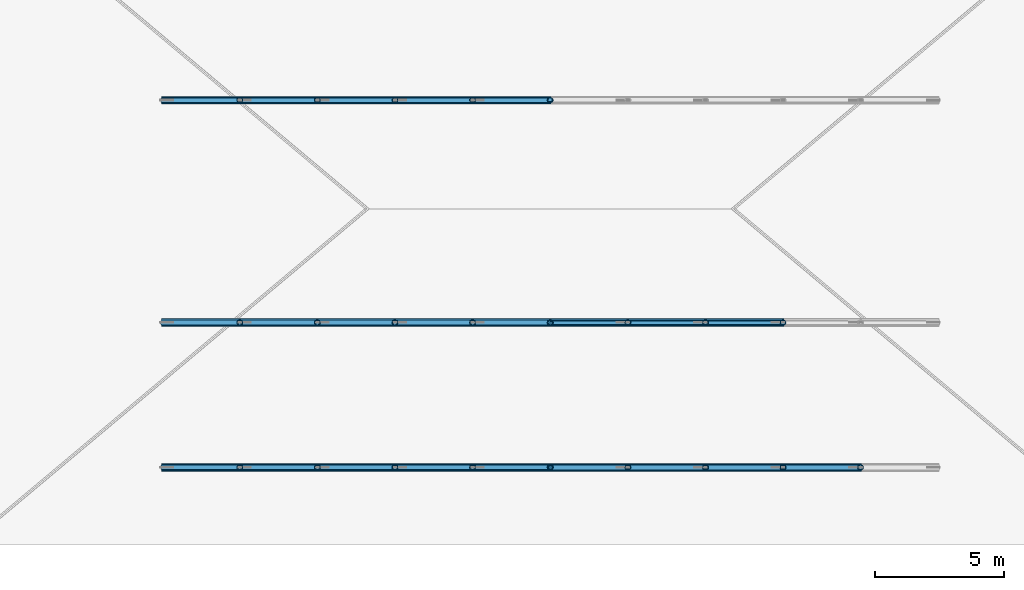
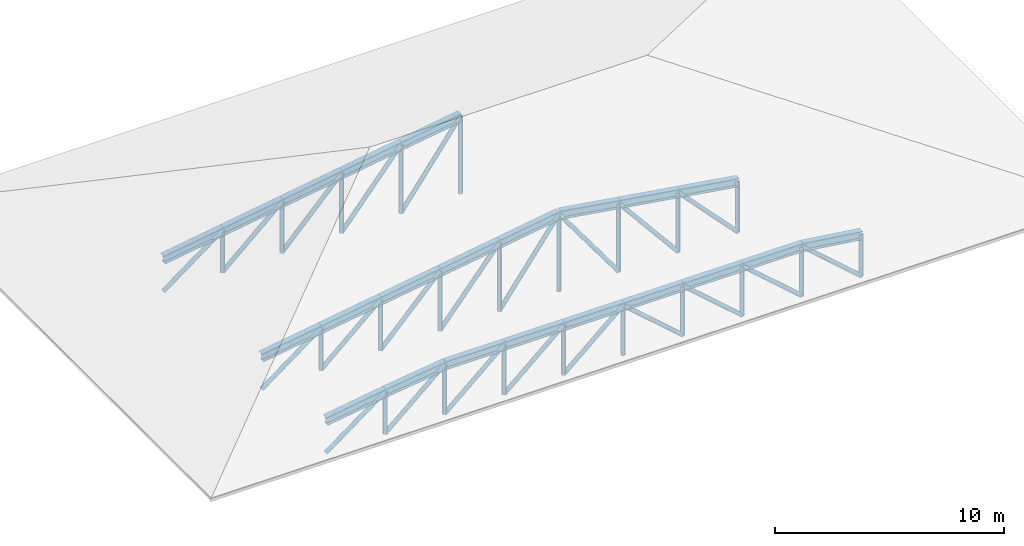
# One storey, part 1 of 6: 66 members.
"""IFC4 building model written with IfcOpenShell, lengths in metres."""

import ifcopenshell
import ifcopenshell.guid

model = None  # the IFC model being written
_history = None  # IfcOwnerHistory: only IFC2X3 demands one
_inside = {}  # id of a spatial element -> (the spatial element, [elements in it])
_under = {}  # id of a project, library or spatial element -> (it, [spatial elements below it])
_declared = {}  # id of a project -> (the project, [libraries it declares])
_typed = {}  # id of a type object -> (the type object, [elements of that type])
_made_of = {}  # id of a material, layer set ... -> (it, [elements and type objects made of it])


def new_model(schema):
    """Start an empty IFC model of exactly this schema.

    Asked for "IFC4X3", IfcOpenShell would pick the latest addendum, in which some entities
    have other attributes; the version numbers below select the first issue.
    IFC2X3 requires an IfcOwnerHistory on every rooted entity: one is made here for all.
    """
    global model, _history
    if schema == "IFC4X3":
        model = ifcopenshell.file(schema_version=(4, 3, 0, 0))
    else:
        model = ifcopenshell.file(schema=schema)
    _inside.clear()
    _under.clear()
    _declared.clear()
    _typed.clear()
    _made_of.clear()
    _history = None
    if model.schema == "IFC2X3":
        org = make("IfcOrganization", Name="unknown")
        user = make(
            "IfcPersonAndOrganization",
            ThePerson=make("IfcPerson", FamilyName="unknown"),
            TheOrganization=org,
        )
        app = make(
            "IfcApplication",
            ApplicationDeveloper=org,
            Version="unknown",
            ApplicationFullName="unknown",
            ApplicationIdentifier="unknown",
        )
        _history = make(
            "IfcOwnerHistory",
            OwningUser=user,
            OwningApplication=app,
            ChangeAction="ADDED",
            CreationDate=0,
        )
    return model


def make(cls, **values):
    """One entity of the class cls with the attributes given. An attribute that is None is left unset."""
    return model.create_entity(
        cls, **{name: value for name, value in values.items() if value is not None}
    )


def rooted(cls, **values):
    """An entity with a GlobalId (a new one), such as an element, a storey or a relation."""
    return make(cls, GlobalId=ifcopenshell.guid.new(), OwnerHistory=_history, **values)


def si_unit(unit_type, name, prefix=None):
    """IfcSIUnit, for example si_unit("LENGTHUNIT", "METRE", prefix="MILLI")."""
    return make("IfcSIUnit", UnitType=unit_type, Prefix=prefix, Name=name)


def assignment(units):
    """IfcUnitAssignment: the units of a project."""
    return None if units is None else make("IfcUnitAssignment", Units=units)


def point(xyz):
    """IfcCartesianPoint."""
    return None if xyz is None else make("IfcCartesianPoint", Coordinates=xyz)


def direction(xyz):
    """IfcDirection."""
    return None if xyz is None else make("IfcDirection", DirectionRatios=xyz)


def frame(location, z_axis=None, x_axis=None):
    """IfcAxis2Placement3D, a coordinate frame: its origin and axes. An axis left out is left unset."""
    return make(
        "IfcAxis2Placement3D",
        Location=point(location),
        Axis=direction(z_axis),
        RefDirection=direction(x_axis),
    )


def frame_2d(location, x_axis=None):
    """IfcAxis2Placement2D, a coordinate frame in the plane: its origin and x axis."""
    return make(
        "IfcAxis2Placement2D", Location=point(location), RefDirection=direction(x_axis)
    )


def origin():
    """The frame at (0, 0, 0) with its axes left unset."""
    return frame((0.0, 0.0, 0.0))


def origin_2d():
    """The frame at (0, 0) in the plane with its x axis left unset."""
    return frame_2d((0.0, 0.0))


def place(relative_to, where):
    """IfcLocalPlacement: puts the frame where relative to a parent placement (None: the world)."""
    return make(
        "IfcLocalPlacement", PlacementRelTo=relative_to, RelativePlacement=where
    )


def context(
    kind, dimensions, precision=None, world=None, true_north=None, identifier=None
):
    """IfcGeometricRepresentationContext, for example the 3D "Model" context."""
    return make(
        "IfcGeometricRepresentationContext",
        ContextIdentifier=identifier,
        ContextType=kind,
        CoordinateSpaceDimension=dimensions,
        Precision=precision,
        WorldCoordinateSystem=world,
        TrueNorth=true_north,
    )


def subcontext(parent, identifier, kind, view, scale=None):
    """IfcGeometricRepresentationSubContext, for example "Body" below "Model"."""
    return make(
        "IfcGeometricRepresentationSubContext",
        ContextIdentifier=identifier,
        ContextType=kind,
        ParentContext=parent,
        TargetScale=scale,
        TargetView=view,
    )


def project(units=None, contexts=None):
    """IfcProject with its units and contexts."""
    return rooted(
        "IfcProject",
        Name="project",
        RepresentationContexts=contexts,
        UnitsInContext=assignment(units),
    )


def spatial(cls, under=None, at=None, **own):
    """A site, building, storey or space (cls), placed at a placement, below another one or the project."""
    s = rooted(cls, ObjectPlacement=at, **own)
    if under is not None:
        _under.setdefault(under.id(), (under, []))[1].append(s)
    return s


def profile(cls, at=None, kind="AREA", **sizes):
    """A parametric profile (cls). Its sizes go by their IFC names, for example OverallWidth=200.0."""
    return make(cls, ProfileType=kind, Position=at, **sizes)


def hollow_circle(**sizes):
    """IfcCircleHollowProfileDef."""
    return profile("IfcCircleHollowProfileDef", **sizes)


def i_section(**sizes):
    """IfcIShapeProfileDef."""
    return profile("IfcIShapeProfileDef", **sizes)


def extrude(swept, where, along, depth):
    """IfcExtrudedAreaSolid: the profile swept, set in the frame where, extruded along a direction by depth."""
    return make(
        "IfcExtrudedAreaSolid",
        SweptArea=swept,
        Position=where,
        ExtrudedDirection=direction(along),
        Depth=depth,
    )


def shape(context_of_items, identifier, shape_type, items):
    """IfcShapeRepresentation: the items that make up one representation, for example the "Body"."""
    return make(
        "IfcShapeRepresentation",
        ContextOfItems=context_of_items,
        RepresentationIdentifier=identifier,
        RepresentationType=shape_type,
        Items=items,
    )


def material(Name=None, Category=None):
    """IfcMaterial."""
    return make("IfcMaterial", Name=Name, Category=Category)


def material_profile(
    of_material, cross_section, Name=None, Category=None, Priority=None
):
    """IfcMaterialProfile: a cross section and its material."""
    return make(
        "IfcMaterialProfile",
        Name=Name,
        Material=of_material,
        Profile=cross_section,
        Priority=Priority,
        Category=Category,
    )


def profile_set(profiles, Name=None, composite=None):
    """IfcMaterialProfileSet."""
    return make(
        "IfcMaterialProfileSet",
        Name=Name,
        MaterialProfiles=profiles,
        CompositeProfile=composite,
    )


def made_of(thing, what):
    """Note that an element or type object is made of a material, layer set ...; save() writes the relation."""
    if what is not None:
        _made_of.setdefault(what.id(), (what, []))[1].append(thing)
    return thing


def type_object(cls, material=None, **own):
    """A type object (cls), such as IfcWallType, which elements share."""
    return made_of(rooted(cls, **own), material)


def element(
    cls,
    number,
    at=None,
    inside=None,
    cuts=None,
    type_object=None,
    material=None,
    context=None,
    identifier="Body",
    shape_type=None,
    held_by="IfcProductDefinitionShape",
    body=None,
    shapes=None,
    **own,
):
    """One element of the class cls, such as IfcWall. Its Tag is "e" and its number.

    at: its placement. inside: the storey or other place that contains it. cuts: it is an
    opening in that element (IfcRelVoidsElement). A single representation is given by context,
    identifier, shape_type and body (its items); several are given by shapes. held_by: the class
    of the entity that holds the representations. save() writes the other relations.
    """
    e = rooted(cls, Tag="e%d" % number, ObjectPlacement=at, **own)
    if body is not None:
        shapes = [shape(context, identifier, shape_type, body)]
    if shapes is not None:
        e.Representation = make(held_by, Representations=shapes)
    if inside is not None:
        _inside.setdefault(inside.id(), (inside, []))[1].append(e)
    if cuts is not None:
        rooted(
            "IfcRelVoidsElement", RelatingBuildingElement=cuts, RelatedOpeningElement=e
        )
    if type_object is not None:
        _typed.setdefault(type_object.id(), (type_object, []))[1].append(e)
    return made_of(e, material)


def aggregate(whole, parts):
    """IfcRelAggregates: a whole, such as a stair, and the parts it consists of."""
    return rooted("IfcRelAggregates", RelatingObject=whole, RelatedObjects=parts)


def save(model, path):
    """Write the relations noted so far, then the file.

    IfcRelAggregates (storeys below a building ...), IfcRelContainedInSpatialStructure (elements
    in a storey), IfcRelDefinesByType, IfcRelAssociatesMaterial and IfcRelDeclares: one each for
    every whole, place, type object, material and project.
    """
    for whole, parts in _under.values():
        aggregate(whole, parts)
    for where, things in _inside.values():
        rooted(
            "IfcRelContainedInSpatialStructure",
            RelatedElements=things,
            RelatingStructure=where,
        )
    for kind, things in _typed.values():
        rooted("IfcRelDefinesByType", RelatedObjects=things, RelatingType=kind)
    for what, things in _made_of.values():
        rooted("IfcRelAssociatesMaterial", RelatedObjects=things, RelatingMaterial=what)
    for by, libraries in _declared.values():
        rooted("IfcRelDeclares", RelatingContext=by, RelatedDefinitions=libraries)
    model.write(path)


model = new_model("IFC4")

# Units and contexts
model_context = context("Model", 3, precision=1e-05, world=origin(), true_north=direction((0.0, 1.0)))
body_context = subcontext(model_context, "Body", "Model", "MODEL_VIEW")
ifc_project = project(units=[si_unit("LENGTHUNIT", "METRE"), si_unit("AREAUNIT", "SQUARE_METRE"), si_unit("VOLUMEUNIT", "CUBIC_METRE"), si_unit("PLANEANGLEUNIT", "RADIAN"), si_unit("MASSUNIT", "GRAM", prefix="KILO")], contexts=[model_context])

# Site, building, storey
site_placement = place(None, origin())
site = spatial("IfcSite", under=ifc_project, at=site_placement, CompositionType="ELEMENT")
building_placement = place(site_placement, origin())
building = spatial("IfcBuilding", under=site, at=building_placement, Name="Muzn Square Opera House", CompositionType="ELEMENT")
storey_placement = place(building_placement, frame((0.0, 0.0, 35.39990234375)))
storey = spatial("IfcBuildingStorey", under=building, at=storey_placement, Name="RF-2", CompositionType="ELEMENT", Elevation=35.39990234375)

# Members
ifc_material = material(Name="Steel S355", Category="steel")
ifc_material_profile_1 = material_profile(ifc_material, i_section(OverallWidth=0.300048828125, OverallDepth=0.449951171875, WebThickness=0.013916015625, FlangeThickness=0.02587890625, FilletRadius=0.027099609375, at=origin_2d()), Name="HEB 450", Category="steel")
ifc_profile_set_1 = profile_set([ifc_material_profile_1], Name="Steel S355")
member_type_1 = type_object("IfcMemberType", Name="Stage Truss Chord HEB450", PredefinedType="CHORD", material=ifc_profile_set_1)
member_1_placement = place(storey_placement, frame((73.0, 75.60009765625, -0.25), z_axis=(0.987938344144, 0.0, 0.154847758042), x_axis=(0.0, 1.0, 0.0)))
element("IfcMember", 1, at=member_1_placement, inside=storey, type_object=member_type_1, Name="Stage Roof Truss Top Chord T1-0", PredefinedType="CHORD", context=body_context, shape_type="SweptSolid", body=[
    extrude(i_section(OverallWidth=0.300048828125, OverallDepth=0.449951171875, WebThickness=0.013916015625, FlangeThickness=0.02587890625, FilletRadius=0.027099609375, at=origin_2d()), origin(), (0.0, 0.0, 1.0), 3.03662109375),
])
member_2_placement = place(storey_placement, frame((76.0, 75.60009765625, 0.22021484375), z_axis=(0.990966088823, 0.0, 0.134112679501), x_axis=(0.0, 1.0, 0.0)))
element("IfcMember", 2, at=member_2_placement, inside=storey, type_object=member_type_1, Name="Stage Roof Truss Top Chord T1-1", PredefinedType="CHORD", context=body_context, shape_type="SweptSolid", body=[
    extrude(i_section(OverallWidth=0.300048828125, OverallDepth=0.449951171875, WebThickness=0.013916015625, FlangeThickness=0.02587890625, FilletRadius=0.027099609375, at=origin_2d()), origin(), (0.0, 0.0, 1.0), 3.02734375),
])
for number, where, z_axis, x_axis, name in (
    (3, (79.0, 75.60009765625, 0.626220703125), (1.0, 0.0, 0.0), (0.0, 1.0, 0.0), "Stage Roof Truss Top Chord T1-2"),
    (4, (82.0, 75.60009765625, 0.626220703125), (1.0, 0.0, 0.0), (0.0, 1.0, 0.0), "Stage Roof Truss Top Chord T1-3"),
    (5, (85.0, 75.60009765625, 0.626220703125), (1.0, 0.0, 0.0), (0.0, 1.0, 0.0), "Stage Roof Truss Top Chord T1-4"),
    (6, (88.0, 75.60009765625, 0.626220703125), (1.0, 0.0, 0.0), (0.0, 1.0, 0.0), "Stage Roof Truss Top Chord T1-5"),
    (7, (91.0, 75.60009765625, 0.626220703125), (1.0, 0.0, 0.0), (0.0, 1.0, 0.0), "Stage Roof Truss Top Chord T1-6"),
    (8, (94.0, 75.60009765625, 0.626220703125), (1.0, 0.0, 0.0), (0.0, 1.0, 0.0), "Stage Roof Truss Top Chord T1-7"),
):
    element("IfcMember", number, at=place(storey_placement, frame(where, z_axis=z_axis, x_axis=x_axis)), inside=storey, type_object=member_type_1, Name=name, PredefinedType="CHORD", context=body_context, shape_type="SweptSolid", body=[
        extrude(i_section(OverallWidth=0.300048828125, OverallDepth=0.449951171875, WebThickness=0.013916015625, FlangeThickness=0.02587890625, FilletRadius=0.027099609375, at=origin_2d()), origin(), (0.0, 0.0, 1.0), 3.0),
    ])
member_3_placement = place(storey_placement, frame((97.0, 75.60009765625, 0.626220703125), z_axis=(0.990966088823, 0.0, -0.134112679501), x_axis=(0.0, 1.0, 0.0)))
element("IfcMember", 9, at=member_3_placement, inside=storey, type_object=member_type_1, Name="Stage Roof Truss Top Chord T1-8", PredefinedType="CHORD", context=body_context, shape_type="SweptSolid", body=[
    extrude(i_section(OverallWidth=0.300048828125, OverallDepth=0.449951171875, WebThickness=0.013916015625, FlangeThickness=0.02587890625, FilletRadius=0.027099609375, at=origin_2d()), origin(), (0.0, 0.0, 1.0), 3.02734375),
])
for number, where, z_axis, x_axis, name in (
    (10, (73.0, 81.199951171875, -0.25), (0.987938344144, 0.0, 0.154847758042), (0.0, 1.0, 0.0), "Stage Roof Truss Top Chord T2-0"),
    (11, (76.0, 81.199951171875, 0.22021484375), (0.987950640565, 0.0, 0.154769285733), (0.0, 1.0, 0.0), "Stage Roof Truss Top Chord T2-1"),
    (12, (79.0, 81.199951171875, 0.690185546875), (0.987950640565, 0.0, 0.154769285733), (0.0, 1.0, 0.0), "Stage Roof Truss Top Chord T2-2"),
    (13, (82.0, 81.199951171875, 1.16015625), (0.987950640565, 0.0, 0.154769285733), (0.0, 1.0, 0.0), "Stage Roof Truss Top Chord T2-3"),
    (14, (85.0, 81.199951171875, 1.630126953125), (0.987950640565, 0.0, 0.154769285733), (0.0, 1.0, 0.0), "Stage Roof Truss Top Chord T2-4"),
    (15, (88.0, 81.199951171875, 2.10009765625), (0.987950640565, 0.0, -0.154769285733), (0.0, 1.0, 0.0), "Stage Roof Truss Top Chord T2-5"),
    (16, (91.0, 81.199951171875, 1.630126953125), (0.987950640565, 0.0, -0.154769285733), (0.0, 1.0, 0.0), "Stage Roof Truss Top Chord T2-6"),
    (17, (94.0, 81.199951171875, 1.16015625), (0.987950640565, 0.0, -0.154769285733), (0.0, 1.0, 0.0), "Stage Roof Truss Top Chord T2-7"),
    (18, (73.0, 89.800048828125, -0.25), (0.987938344144, 0.0, 0.154847758042), (0.0, 1.0, 0.0), "Stage Roof Truss Top Chord T3-0"),
    (19, (76.0, 89.800048828125, 0.22021484375), (0.987950640565, 0.0, 0.154769285733), (0.0, 1.0, 0.0), "Stage Roof Truss Top Chord T3-1"),
    (20, (79.0, 89.800048828125, 0.690185546875), (0.987950640565, 0.0, 0.154769285733), (0.0, 1.0, 0.0), "Stage Roof Truss Top Chord T3-2"),
    (21, (82.0, 89.800048828125, 1.16015625), (0.987950640565, 0.0, 0.154769285733), (0.0, 1.0, 0.0), "Stage Roof Truss Top Chord T3-3"),
    (22, (85.0, 89.800048828125, 1.630126953125), (0.987950640565, 0.0, 0.154769285733), (0.0, 1.0, 0.0), "Stage Roof Truss Top Chord T3-4"),
):
    element("IfcMember", number, at=place(storey_placement, frame(where, z_axis=z_axis, x_axis=x_axis)), inside=storey, type_object=member_type_1, Name=name, PredefinedType="CHORD", context=body_context, shape_type="SweptSolid", body=[
        extrude(i_section(OverallWidth=0.300048828125, OverallDepth=0.449951171875, WebThickness=0.013916015625, FlangeThickness=0.02587890625, FilletRadius=0.027099609375, at=origin_2d()), origin(), (0.0, 0.0, 1.0), 3.03662109375),
    ])
ifc_material_profile_2 = material_profile(ifc_material, hollow_circle(Radius=0.109619140625, WallThickness=0.012451171875, at=origin_2d()), Name="CHS 219.1x12.5", Category="steel")
ifc_profile_set_2 = profile_set([ifc_material_profile_2], Name="Steel S355")
member_type_2 = type_object("IfcMemberType", Name="Stage Truss Diagonal CHS219", PredefinedType="BRACE", material=ifc_profile_set_2)
member_4_placement = place(storey_placement, frame((73.0, 75.60009765625, -2.0), z_axis=(0.803814373158, 0.0, 0.594880200968), x_axis=(0.0, 1.0, 0.0)))
element("IfcMember", 23, at=member_4_placement, inside=storey, type_object=member_type_2, Name="Stage Roof Truss Web Diagonal T1-0", PredefinedType="BRACE", context=body_context, shape_type="SweptSolid", body=[
    extrude(hollow_circle(Radius=0.109619140625, WallThickness=0.012451171875, at=origin_2d()), origin(), (0.0, 0.0, 1.0), 3.732177734375),
])
member_5_placement = place(storey_placement, frame((76.0, 75.60009765625, -2.0), z_axis=(0.0, 0.0, 1.0), x_axis=(1.0, 0.0, 0.0)))
element("IfcMember", 24, at=member_5_placement, inside=storey, type_object=member_type_2, Name="Stage Roof Truss Vertical Post T1-1", PredefinedType="BRACE", context=body_context, shape_type="SweptSolid", body=[
    extrude(hollow_circle(Radius=0.109619140625, WallThickness=0.012451171875, at=origin_2d()), origin(), (0.0, 0.0, 1.0), 2.22021484375),
])
member_6_placement = place(storey_placement, frame((76.0, 75.60009765625, -2.0), z_axis=(0.752424948184, 0.0, 0.658677992156), x_axis=(0.0, 1.0, 0.0)))
element("IfcMember", 25, at=member_6_placement, inside=storey, type_object=member_type_2, Name="Stage Roof Truss Web Diagonal T1-1", PredefinedType="BRACE", context=body_context, shape_type="SweptSolid", body=[
    extrude(hollow_circle(Radius=0.109619140625, WallThickness=0.012451171875, at=origin_2d()), origin(), (0.0, 0.0, 1.0), 3.987060546875),
])
member_7_placement = place(storey_placement, frame((79.0, 75.60009765625, -2.0), z_axis=(0.0, 0.0, 1.0), x_axis=(1.0, 0.0, 0.0)))
element("IfcMember", 26, at=member_7_placement, inside=storey, type_object=member_type_2, Name="Stage Roof Truss Vertical Post T1-2", PredefinedType="BRACE", context=body_context, shape_type="SweptSolid", body=[
    extrude(hollow_circle(Radius=0.109619140625, WallThickness=0.012451171875, at=origin_2d()), origin(), (0.0, 0.0, 1.0), 2.626220703125),
])
member_8_placement = place(storey_placement, frame((79.0, 75.60009765625, -2.0), z_axis=(0.752424948184, 0.0, 0.658677992156), x_axis=(0.0, 1.0, 0.0)))
element("IfcMember", 27, at=member_8_placement, inside=storey, type_object=member_type_2, Name="Stage Roof Truss Web Diagonal T1-2", PredefinedType="BRACE", context=body_context, shape_type="SweptSolid", body=[
    extrude(hollow_circle(Radius=0.109619140625, WallThickness=0.012451171875, at=origin_2d()), origin(), (0.0, 0.0, 1.0), 3.987060546875),
])
member_9_placement = place(storey_placement, frame((82.0, 75.60009765625, -2.0), z_axis=(0.0, 0.0, 1.0), x_axis=(1.0, 0.0, 0.0)))
element("IfcMember", 28, at=member_9_placement, inside=storey, type_object=member_type_2, Name="Stage Roof Truss Vertical Post T1-3", PredefinedType="BRACE", context=body_context, shape_type="SweptSolid", body=[
    extrude(hollow_circle(Radius=0.109619140625, WallThickness=0.012451171875, at=origin_2d()), origin(), (0.0, 0.0, 1.0), 2.626220703125),
])
member_10_placement = place(storey_placement, frame((82.0, 75.60009765625, -2.0), z_axis=(0.752424948184, 0.0, 0.658677992156), x_axis=(0.0, 1.0, 0.0)))
element("IfcMember", 29, at=member_10_placement, inside=storey, type_object=member_type_2, Name="Stage Roof Truss Web Diagonal T1-3", PredefinedType="BRACE", context=body_context, shape_type="SweptSolid", body=[
    extrude(hollow_circle(Radius=0.109619140625, WallThickness=0.012451171875, at=origin_2d()), origin(), (0.0, 0.0, 1.0), 3.987060546875),
])
member_11_placement = place(storey_placement, frame((85.0, 75.60009765625, -2.0), z_axis=(0.0, 0.0, 1.0), x_axis=(1.0, 0.0, 0.0)))
element("IfcMember", 30, at=member_11_placement, inside=storey, type_object=member_type_2, Name="Stage Roof Truss Vertical Post T1-4", PredefinedType="BRACE", context=body_context, shape_type="SweptSolid", body=[
    extrude(hollow_circle(Radius=0.109619140625, WallThickness=0.012451171875, at=origin_2d()), origin(), (0.0, 0.0, 1.0), 2.626220703125),
])
member_12_placement = place(storey_placement, frame((85.0, 75.60009765625, -2.0), z_axis=(0.752424948184, 0.0, 0.658677992156), x_axis=(0.0, 1.0, 0.0)))
element("IfcMember", 31, at=member_12_placement, inside=storey, type_object=member_type_2, Name="Stage Roof Truss Web Diagonal T1-4", PredefinedType="BRACE", context=body_context, shape_type="SweptSolid", body=[
    extrude(hollow_circle(Radius=0.109619140625, WallThickness=0.012451171875, at=origin_2d()), origin(), (0.0, 0.0, 1.0), 3.987060546875),
])
member_13_placement = place(storey_placement, frame((88.0, 75.60009765625, -2.0), z_axis=(0.0, 0.0, 1.0), x_axis=(1.0, 0.0, 0.0)))
element("IfcMember", 32, at=member_13_placement, inside=storey, type_object=member_type_2, Name="Stage Roof Truss Vertical Post T1-5", PredefinedType="BRACE", context=body_context, shape_type="SweptSolid", body=[
    extrude(hollow_circle(Radius=0.109619140625, WallThickness=0.012451171875, at=origin_2d()), origin(), (0.0, 0.0, 1.0), 2.626220703125),
])
member_14_placement = place(storey_placement, frame((91.0, 75.60009765625, -2.0), z_axis=(-0.752424948184, 0.0, 0.658677992156), x_axis=(0.0, -1.0, 0.0)))
element("IfcMember", 33, at=member_14_placement, inside=storey, type_object=member_type_2, Name="Stage Roof Truss Web Diagonal T1-5", PredefinedType="BRACE", context=body_context, shape_type="SweptSolid", body=[
    extrude(hollow_circle(Radius=0.109619140625, WallThickness=0.012451171875, at=origin_2d()), origin(), (0.0, 0.0, 1.0), 3.987060546875),
])
member_15_placement = place(storey_placement, frame((91.0, 75.60009765625, -2.0), z_axis=(0.0, 0.0, 1.0), x_axis=(1.0, 0.0, 0.0)))
element("IfcMember", 34, at=member_15_placement, inside=storey, type_object=member_type_2, Name="Stage Roof Truss Vertical Post T1-6", PredefinedType="BRACE", context=body_context, shape_type="SweptSolid", body=[
    extrude(hollow_circle(Radius=0.109619140625, WallThickness=0.012451171875, at=origin_2d()), origin(), (0.0, 0.0, 1.0), 2.626220703125),
])
member_16_placement = place(storey_placement, frame((94.0, 75.60009765625, -2.0), z_axis=(-0.752424948184, 0.0, 0.658677992156), x_axis=(0.0, -1.0, 0.0)))
element("IfcMember", 35, at=member_16_placement, inside=storey, type_object=member_type_2, Name="Stage Roof Truss Web Diagonal T1-6", PredefinedType="BRACE", context=body_context, shape_type="SweptSolid", body=[
    extrude(hollow_circle(Radius=0.109619140625, WallThickness=0.012451171875, at=origin_2d()), origin(), (0.0, 0.0, 1.0), 3.987060546875),
])
member_17_placement = place(storey_placement, frame((94.0, 75.60009765625, -2.0), z_axis=(0.0, 0.0, 1.0), x_axis=(1.0, 0.0, 0.0)))
element("IfcMember", 36, at=member_17_placement, inside=storey, type_object=member_type_2, Name="Stage Roof Truss Vertical Post T1-7", PredefinedType="BRACE", context=body_context, shape_type="SweptSolid", body=[
    extrude(hollow_circle(Radius=0.109619140625, WallThickness=0.012451171875, at=origin_2d()), origin(), (0.0, 0.0, 1.0), 2.626220703125),
])
member_18_placement = place(storey_placement, frame((97.0, 75.60009765625, -2.0), z_axis=(-0.752424948184, 0.0, 0.658677992156), x_axis=(0.0, -1.0, 0.0)))
element("IfcMember", 37, at=member_18_placement, inside=storey, type_object=member_type_2, Name="Stage Roof Truss Web Diagonal T1-7", PredefinedType="BRACE", context=body_context, shape_type="SweptSolid", body=[
    extrude(hollow_circle(Radius=0.109619140625, WallThickness=0.012451171875, at=origin_2d()), origin(), (0.0, 0.0, 1.0), 3.987060546875),
])
member_19_placement = place(storey_placement, frame((97.0, 75.60009765625, -2.0), z_axis=(0.0, 0.0, 1.0), x_axis=(1.0, 0.0, 0.0)))
element("IfcMember", 38, at=member_19_placement, inside=storey, type_object=member_type_2, Name="Stage Roof Truss Vertical Post T1-8", PredefinedType="BRACE", context=body_context, shape_type="SweptSolid", body=[
    extrude(hollow_circle(Radius=0.109619140625, WallThickness=0.012451171875, at=origin_2d()), origin(), (0.0, 0.0, 1.0), 2.626220703125),
])
member_20_placement = place(storey_placement, frame((100.0, 75.60009765625, -2.0), z_axis=(-0.752424948184, 0.0, 0.658677992156), x_axis=(0.0, -1.0, 0.0)))
element("IfcMember", 39, at=member_20_placement, inside=storey, type_object=member_type_2, Name="Stage Roof Truss Web Diagonal T1-8", PredefinedType="BRACE", context=body_context, shape_type="SweptSolid", body=[
    extrude(hollow_circle(Radius=0.109619140625, WallThickness=0.012451171875, at=origin_2d()), origin(), (0.0, 0.0, 1.0), 3.987060546875),
])
member_21_placement = place(storey_placement, frame((100.0, 75.60009765625, -2.0), z_axis=(0.0, 0.0, 1.0), x_axis=(1.0, 0.0, 0.0)))
element("IfcMember", 40, at=member_21_placement, inside=storey, type_object=member_type_2, Name="Stage Roof Truss Vertical Post T1-9", PredefinedType="BRACE", context=body_context, shape_type="SweptSolid", body=[
    extrude(hollow_circle(Radius=0.109619140625, WallThickness=0.012451171875, at=origin_2d()), origin(), (0.0, 0.0, 1.0), 2.22021484375),
])
member_22_placement = place(storey_placement, frame((73.0, 81.199951171875, -2.0), z_axis=(0.803814373158, 0.0, 0.594880200968), x_axis=(0.0, 1.0, 0.0)))
element("IfcMember", 41, at=member_22_placement, inside=storey, type_object=member_type_2, Name="Stage Roof Truss Web Diagonal T2-0", PredefinedType="BRACE", context=body_context, shape_type="SweptSolid", body=[
    extrude(hollow_circle(Radius=0.109619140625, WallThickness=0.012451171875, at=origin_2d()), origin(), (0.0, 0.0, 1.0), 3.732177734375),
])
member_23_placement = place(storey_placement, frame((76.0, 81.199951171875, -2.0), z_axis=(0.0, 0.0, 1.0), x_axis=(1.0, 0.0, 0.0)))
element("IfcMember", 42, at=member_23_placement, inside=storey, type_object=member_type_2, Name="Stage Roof Truss Vertical Post T2-1", PredefinedType="BRACE", context=body_context, shape_type="SweptSolid", body=[
    extrude(hollow_circle(Radius=0.109619140625, WallThickness=0.012451171875, at=origin_2d()), origin(), (0.0, 0.0, 1.0), 2.22021484375),
])
member_24_placement = place(storey_placement, frame((76.0, 81.199951171875, -2.0), z_axis=(0.744504016526, 0.0, 0.667617981616), x_axis=(0.0, 1.0, 0.0)))
element("IfcMember", 43, at=member_24_placement, inside=storey, type_object=member_type_2, Name="Stage Roof Truss Web Diagonal T2-1", PredefinedType="BRACE", context=body_context, shape_type="SweptSolid", body=[
    extrude(hollow_circle(Radius=0.109619140625, WallThickness=0.012451171875, at=origin_2d()), origin(), (0.0, 0.0, 1.0), 4.029541015625),
])
member_25_placement = place(storey_placement, frame((79.0, 81.199951171875, -2.0), z_axis=(0.0, 0.0, 1.0), x_axis=(1.0, 0.0, 0.0)))
element("IfcMember", 44, at=member_25_placement, inside=storey, type_object=member_type_2, Name="Stage Roof Truss Vertical Post T2-2", PredefinedType="BRACE", context=body_context, shape_type="SweptSolid", body=[
    extrude(hollow_circle(Radius=0.109619140625, WallThickness=0.012451171875, at=origin_2d()), origin(), (0.0, 0.0, 1.0), 2.690185546875),
])
member_26_placement = place(storey_placement, frame((79.0, 81.199951171875, -2.0), z_axis=(0.688490253953, 0.0, 0.725245593031), x_axis=(0.0, 1.0, 0.0)))
element("IfcMember", 45, at=member_26_placement, inside=storey, type_object=member_type_2, Name="Stage Roof Truss Web Diagonal T2-2", PredefinedType="BRACE", context=body_context, shape_type="SweptSolid", body=[
    extrude(hollow_circle(Radius=0.109619140625, WallThickness=0.012451171875, at=origin_2d()), origin(), (0.0, 0.0, 1.0), 4.357421875),
])
member_27_placement = place(storey_placement, frame((82.0, 81.199951171875, -2.0), z_axis=(0.0, 0.0, 1.0), x_axis=(1.0, 0.0, 0.0)))
element("IfcMember", 46, at=member_27_placement, inside=storey, type_object=member_type_2, Name="Stage Roof Truss Vertical Post T2-3", PredefinedType="BRACE", context=body_context, shape_type="SweptSolid", body=[
    extrude(hollow_circle(Radius=0.109619140625, WallThickness=0.012451171875, at=origin_2d()), origin(), (0.0, 0.0, 1.0), 3.16015625),
])
member_28_placement = place(storey_placement, frame((82.0, 81.199951171875, -2.0), z_axis=(0.63703282461, 0.0, 0.770836675548), x_axis=(0.0, 1.0, 0.0)))
element("IfcMember", 47, at=member_28_placement, inside=storey, type_object=member_type_2, Name="Stage Roof Truss Web Diagonal T2-3", PredefinedType="BRACE", context=body_context, shape_type="SweptSolid", body=[
    extrude(hollow_circle(Radius=0.109619140625, WallThickness=0.012451171875, at=origin_2d()), origin(), (0.0, 0.0, 1.0), 4.709228515625),
])
member_29_placement = place(storey_placement, frame((85.0, 81.199951171875, -2.0), z_axis=(0.0, 0.0, 1.0), x_axis=(1.0, 0.0, 0.0)))
element("IfcMember", 48, at=member_29_placement, inside=storey, type_object=member_type_2, Name="Stage Roof Truss Vertical Post T2-4", PredefinedType="BRACE", context=body_context, shape_type="SweptSolid", body=[
    extrude(hollow_circle(Radius=0.109619140625, WallThickness=0.012451171875, at=origin_2d()), origin(), (0.0, 0.0, 1.0), 3.630126953125),
])
member_30_placement = place(storey_placement, frame((85.0, 81.199951171875, -2.0), z_axis=(0.590500833905, 0.0, 0.807037028369), x_axis=(0.0, 1.0, 0.0)))
element("IfcMember", 49, at=member_30_placement, inside=storey, type_object=member_type_2, Name="Stage Roof Truss Web Diagonal T2-4", PredefinedType="BRACE", context=body_context, shape_type="SweptSolid", body=[
    extrude(hollow_circle(Radius=0.109619140625, WallThickness=0.012451171875, at=origin_2d()), origin(), (0.0, 0.0, 1.0), 5.080322265625),
])
member_31_placement = place(storey_placement, frame((88.0, 81.199951171875, -2.0), z_axis=(0.0, 0.0, 1.0), x_axis=(1.0, 0.0, 0.0)))
element("IfcMember", 50, at=member_31_placement, inside=storey, type_object=member_type_2, Name="Stage Roof Truss Vertical Post T2-5", PredefinedType="BRACE", context=body_context, shape_type="SweptSolid", body=[
    extrude(hollow_circle(Radius=0.109619140625, WallThickness=0.012451171875, at=origin_2d()), origin(), (0.0, 0.0, 1.0), 4.10009765625),
])
member_32_placement = place(storey_placement, frame((91.0, 81.199951171875, -2.0), z_axis=(-0.590500833905, 0.0, 0.807037028369), x_axis=(0.0, -1.0, 0.0)))
element("IfcMember", 51, at=member_32_placement, inside=storey, type_object=member_type_2, Name="Stage Roof Truss Web Diagonal T2-5", PredefinedType="BRACE", context=body_context, shape_type="SweptSolid", body=[
    extrude(hollow_circle(Radius=0.109619140625, WallThickness=0.012451171875, at=origin_2d()), origin(), (0.0, 0.0, 1.0), 5.080322265625),
])
member_33_placement = place(storey_placement, frame((91.0, 81.199951171875, -2.0), z_axis=(0.0, 0.0, 1.0), x_axis=(1.0, 0.0, 0.0)))
element("IfcMember", 52, at=member_33_placement, inside=storey, type_object=member_type_2, Name="Stage Roof Truss Vertical Post T2-6", PredefinedType="BRACE", context=body_context, shape_type="SweptSolid", body=[
    extrude(hollow_circle(Radius=0.109619140625, WallThickness=0.012451171875, at=origin_2d()), origin(), (0.0, 0.0, 1.0), 3.630126953125),
])
member_34_placement = place(storey_placement, frame((94.0, 81.199951171875, -2.0), z_axis=(-0.63703282461, 0.0, 0.770836675548), x_axis=(0.0, -1.0, 0.0)))
element("IfcMember", 53, at=member_34_placement, inside=storey, type_object=member_type_2, Name="Stage Roof Truss Web Diagonal T2-6", PredefinedType="BRACE", context=body_context, shape_type="SweptSolid", body=[
    extrude(hollow_circle(Radius=0.109619140625, WallThickness=0.012451171875, at=origin_2d()), origin(), (0.0, 0.0, 1.0), 4.709228515625),
])
member_35_placement = place(storey_placement, frame((94.0, 81.199951171875, -2.0), z_axis=(0.0, 0.0, 1.0), x_axis=(1.0, 0.0, 0.0)))
element("IfcMember", 54, at=member_35_placement, inside=storey, type_object=member_type_2, Name="Stage Roof Truss Vertical Post T2-7", PredefinedType="BRACE", context=body_context, shape_type="SweptSolid", body=[
    extrude(hollow_circle(Radius=0.109619140625, WallThickness=0.012451171875, at=origin_2d()), origin(), (0.0, 0.0, 1.0), 3.16015625),
])
member_36_placement = place(storey_placement, frame((97.0, 81.199951171875, -2.0), z_axis=(-0.688490253953, 0.0, 0.725245593031), x_axis=(0.0, -1.0, 0.0)))
element("IfcMember", 55, at=member_36_placement, inside=storey, type_object=member_type_2, Name="Stage Roof Truss Web Diagonal T2-7", PredefinedType="BRACE", context=body_context, shape_type="SweptSolid", body=[
    extrude(hollow_circle(Radius=0.109619140625, WallThickness=0.012451171875, at=origin_2d()), origin(), (0.0, 0.0, 1.0), 4.357421875),
])
member_37_placement = place(storey_placement, frame((97.0, 81.199951171875, -2.0), z_axis=(0.0, 0.0, 1.0), x_axis=(1.0, 0.0, 0.0)))
element("IfcMember", 56, at=member_37_placement, inside=storey, type_object=member_type_2, Name="Stage Roof Truss Vertical Post T2-8", PredefinedType="BRACE", context=body_context, shape_type="SweptSolid", body=[
    extrude(hollow_circle(Radius=0.109619140625, WallThickness=0.012451171875, at=origin_2d()), origin(), (0.0, 0.0, 1.0), 2.690185546875),
])
member_38_placement = place(storey_placement, frame((73.0, 89.800048828125, -2.0), z_axis=(0.803814373158, 0.0, 0.594880200968), x_axis=(0.0, 1.0, 0.0)))
element("IfcMember", 57, at=member_38_placement, inside=storey, type_object=member_type_2, Name="Stage Roof Truss Web Diagonal T3-0", PredefinedType="BRACE", context=body_context, shape_type="SweptSolid", body=[
    extrude(hollow_circle(Radius=0.109619140625, WallThickness=0.012451171875, at=origin_2d()), origin(), (0.0, 0.0, 1.0), 3.732177734375),
])
member_39_placement = place(storey_placement, frame((76.0, 89.800048828125, -2.0), z_axis=(0.0, 0.0, 1.0), x_axis=(1.0, 0.0, 0.0)))
element("IfcMember", 58, at=member_39_placement, inside=storey, type_object=member_type_2, Name="Stage Roof Truss Vertical Post T3-1", PredefinedType="BRACE", context=body_context, shape_type="SweptSolid", body=[
    extrude(hollow_circle(Radius=0.109619140625, WallThickness=0.012451171875, at=origin_2d()), origin(), (0.0, 0.0, 1.0), 2.22021484375),
])
member_40_placement = place(storey_placement, frame((76.0, 89.800048828125, -2.0), z_axis=(0.744504016526, 0.0, 0.667617981616), x_axis=(0.0, 1.0, 0.0)))
element("IfcMember", 59, at=member_40_placement, inside=storey, type_object=member_type_2, Name="Stage Roof Truss Web Diagonal T3-1", PredefinedType="BRACE", context=body_context, shape_type="SweptSolid", body=[
    extrude(hollow_circle(Radius=0.109619140625, WallThickness=0.012451171875, at=origin_2d()), origin(), (0.0, 0.0, 1.0), 4.029541015625),
])
member_41_placement = place(storey_placement, frame((79.0, 89.800048828125, -2.0), z_axis=(0.0, 0.0, 1.0), x_axis=(1.0, 0.0, 0.0)))
element("IfcMember", 60, at=member_41_placement, inside=storey, type_object=member_type_2, Name="Stage Roof Truss Vertical Post T3-2", PredefinedType="BRACE", context=body_context, shape_type="SweptSolid", body=[
    extrude(hollow_circle(Radius=0.109619140625, WallThickness=0.012451171875, at=origin_2d()), origin(), (0.0, 0.0, 1.0), 2.690185546875),
])
member_42_placement = place(storey_placement, frame((79.0, 89.800048828125, -2.0), z_axis=(0.688490253953, 0.0, 0.725245593031), x_axis=(0.0, 1.0, 0.0)))
element("IfcMember", 61, at=member_42_placement, inside=storey, type_object=member_type_2, Name="Stage Roof Truss Web Diagonal T3-2", PredefinedType="BRACE", context=body_context, shape_type="SweptSolid", body=[
    extrude(hollow_circle(Radius=0.109619140625, WallThickness=0.012451171875, at=origin_2d()), origin(), (0.0, 0.0, 1.0), 4.357421875),
])
member_43_placement = place(storey_placement, frame((82.0, 89.800048828125, -2.0), z_axis=(0.0, 0.0, 1.0), x_axis=(1.0, 0.0, 0.0)))
element("IfcMember", 62, at=member_43_placement, inside=storey, type_object=member_type_2, Name="Stage Roof Truss Vertical Post T3-3", PredefinedType="BRACE", context=body_context, shape_type="SweptSolid", body=[
    extrude(hollow_circle(Radius=0.109619140625, WallThickness=0.012451171875, at=origin_2d()), origin(), (0.0, 0.0, 1.0), 3.16015625),
])
member_44_placement = place(storey_placement, frame((82.0, 89.800048828125, -2.0), z_axis=(0.63703282461, 0.0, 0.770836675548), x_axis=(0.0, 1.0, 0.0)))
element("IfcMember", 63, at=member_44_placement, inside=storey, type_object=member_type_2, Name="Stage Roof Truss Web Diagonal T3-3", PredefinedType="BRACE", context=body_context, shape_type="SweptSolid", body=[
    extrude(hollow_circle(Radius=0.109619140625, WallThickness=0.012451171875, at=origin_2d()), origin(), (0.0, 0.0, 1.0), 4.709228515625),
])
member_45_placement = place(storey_placement, frame((85.0, 89.800048828125, -2.0), z_axis=(0.0, 0.0, 1.0), x_axis=(1.0, 0.0, 0.0)))
element("IfcMember", 64, at=member_45_placement, inside=storey, type_object=member_type_2, Name="Stage Roof Truss Vertical Post T3-4", PredefinedType="BRACE", context=body_context, shape_type="SweptSolid", body=[
    extrude(hollow_circle(Radius=0.109619140625, WallThickness=0.012451171875, at=origin_2d()), origin(), (0.0, 0.0, 1.0), 3.630126953125),
])
member_46_placement = place(storey_placement, frame((85.0, 89.800048828125, -2.0), z_axis=(0.590500833905, 0.0, 0.807037028369), x_axis=(0.0, 1.0, 0.0)))
element("IfcMember", 65, at=member_46_placement, inside=storey, type_object=member_type_2, Name="Stage Roof Truss Web Diagonal T3-4", PredefinedType="BRACE", context=body_context, shape_type="SweptSolid", body=[
    extrude(hollow_circle(Radius=0.109619140625, WallThickness=0.012451171875, at=origin_2d()), origin(), (0.0, 0.0, 1.0), 5.080322265625),
])
member_47_placement = place(storey_placement, frame((88.0, 89.800048828125, -2.0), z_axis=(0.0, 0.0, 1.0), x_axis=(1.0, 0.0, 0.0)))
element("IfcMember", 66, at=member_47_placement, inside=storey, type_object=member_type_2, Name="Stage Roof Truss Vertical Post T3-5", PredefinedType="BRACE", context=body_context, shape_type="SweptSolid", body=[
    extrude(hollow_circle(Radius=0.109619140625, WallThickness=0.012451171875, at=origin_2d()), origin(), (0.0, 0.0, 1.0), 4.10009765625),
])

save(model, "model.ifc")
